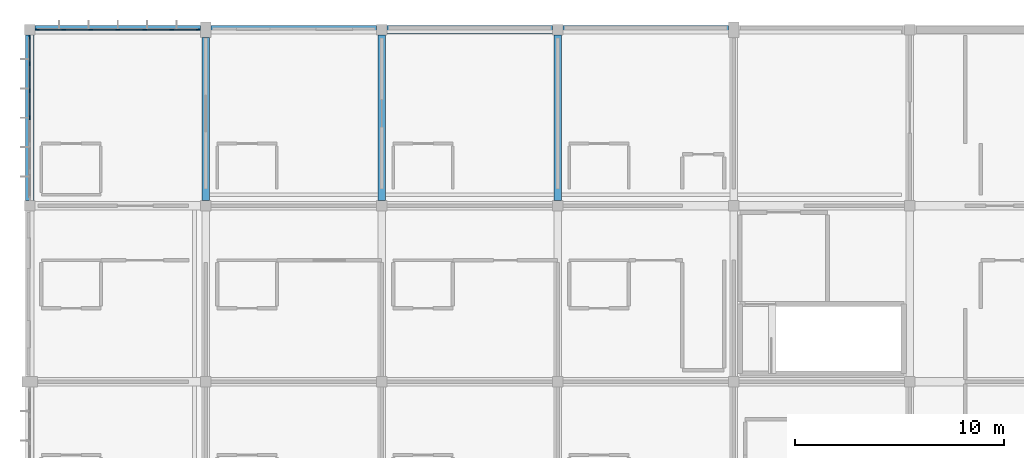
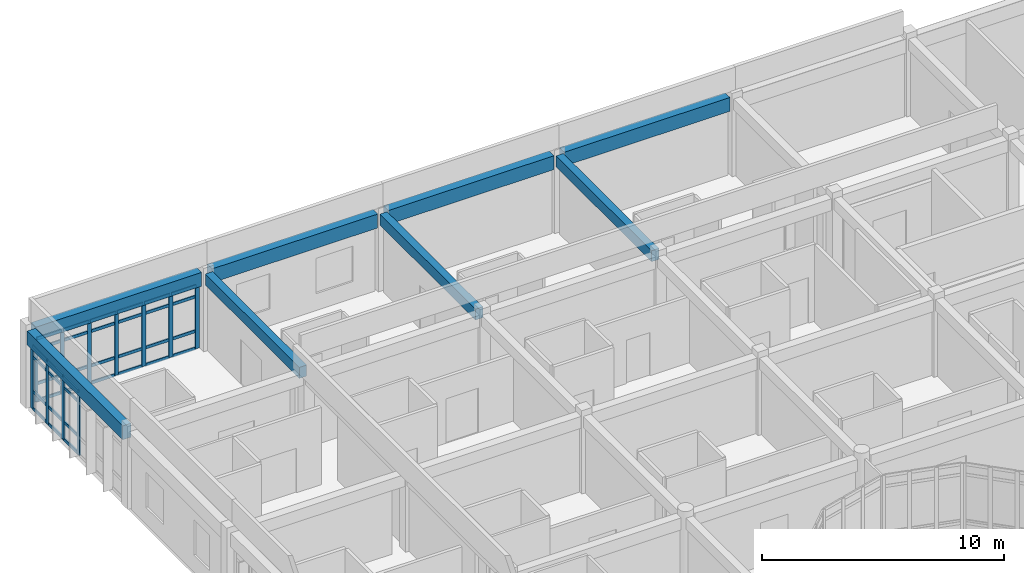
# One storey, part 28 of 119: 47 members, 8 beams, 2 elements without a shape of their own.
"""IFC4 building model written with IfcOpenShell, lengths in metres."""

import ifcopenshell
import ifcopenshell.guid

model = None  # the IFC model being written
_history = None  # IfcOwnerHistory: only IFC2X3 demands one
_inside = {}  # id of a spatial element -> (the spatial element, [elements in it])
_under = {}  # id of a project, library or spatial element -> (it, [spatial elements below it])
_declared = {}  # id of a project -> (the project, [libraries it declares])
_typed = {}  # id of a type object -> (the type object, [elements of that type])
_made_of = {}  # id of a material, layer set ... -> (it, [elements and type objects made of it])


def new_model(schema):
    """Start an empty IFC model of exactly this schema.

    Asked for "IFC4X3", IfcOpenShell would pick the latest addendum, in which some entities
    have other attributes; the version numbers below select the first issue.
    IFC2X3 requires an IfcOwnerHistory on every rooted entity: one is made here for all.
    """
    global model, _history
    if schema == "IFC4X3":
        model = ifcopenshell.file(schema_version=(4, 3, 0, 0))
    else:
        model = ifcopenshell.file(schema=schema)
    _inside.clear()
    _under.clear()
    _declared.clear()
    _typed.clear()
    _made_of.clear()
    _history = None
    if model.schema == "IFC2X3":
        org = make("IfcOrganization", Name="unknown")
        user = make(
            "IfcPersonAndOrganization",
            ThePerson=make("IfcPerson", FamilyName="unknown"),
            TheOrganization=org,
        )
        app = make(
            "IfcApplication",
            ApplicationDeveloper=org,
            Version="unknown",
            ApplicationFullName="unknown",
            ApplicationIdentifier="unknown",
        )
        _history = make(
            "IfcOwnerHistory",
            OwningUser=user,
            OwningApplication=app,
            ChangeAction="ADDED",
            CreationDate=0,
        )
    return model


def make(cls, **values):
    """One entity of the class cls with the attributes given. An attribute that is None is left unset."""
    return model.create_entity(
        cls, **{name: value for name, value in values.items() if value is not None}
    )


def rooted(cls, **values):
    """An entity with a GlobalId (a new one), such as an element, a storey or a relation."""
    return make(cls, GlobalId=ifcopenshell.guid.new(), OwnerHistory=_history, **values)


def si_unit(unit_type, name, prefix=None):
    """IfcSIUnit, for example si_unit("LENGTHUNIT", "METRE", prefix="MILLI")."""
    return make("IfcSIUnit", UnitType=unit_type, Prefix=prefix, Name=name)


def assignment(units):
    """IfcUnitAssignment: the units of a project."""
    return None if units is None else make("IfcUnitAssignment", Units=units)


def point(xyz):
    """IfcCartesianPoint."""
    return None if xyz is None else make("IfcCartesianPoint", Coordinates=xyz)


def direction(xyz):
    """IfcDirection."""
    return None if xyz is None else make("IfcDirection", DirectionRatios=xyz)


def frame(location, z_axis=None, x_axis=None):
    """IfcAxis2Placement3D, a coordinate frame: its origin and axes. An axis left out is left unset."""
    return make(
        "IfcAxis2Placement3D",
        Location=point(location),
        Axis=direction(z_axis),
        RefDirection=direction(x_axis),
    )


def frame_2d(location, x_axis=None):
    """IfcAxis2Placement2D, a coordinate frame in the plane: its origin and x axis."""
    return make(
        "IfcAxis2Placement2D", Location=point(location), RefDirection=direction(x_axis)
    )


def origin():
    """The frame at (0, 0, 0) with its axes left unset."""
    return frame((0.0, 0.0, 0.0))


def origin_2d():
    """The frame at (0, 0) in the plane with its x axis left unset."""
    return frame_2d((0.0, 0.0))


def place(relative_to, where):
    """IfcLocalPlacement: puts the frame where relative to a parent placement (None: the world)."""
    return make(
        "IfcLocalPlacement", PlacementRelTo=relative_to, RelativePlacement=where
    )


def context(
    kind, dimensions, precision=None, world=None, true_north=None, identifier=None
):
    """IfcGeometricRepresentationContext, for example the 3D "Model" context."""
    return make(
        "IfcGeometricRepresentationContext",
        ContextIdentifier=identifier,
        ContextType=kind,
        CoordinateSpaceDimension=dimensions,
        Precision=precision,
        WorldCoordinateSystem=world,
        TrueNorth=true_north,
    )


def subcontext(parent, identifier, kind, view, scale=None):
    """IfcGeometricRepresentationSubContext, for example "Body" below "Model"."""
    return make(
        "IfcGeometricRepresentationSubContext",
        ContextIdentifier=identifier,
        ContextType=kind,
        ParentContext=parent,
        TargetScale=scale,
        TargetView=view,
    )


def project(units=None, contexts=None):
    """IfcProject with its units and contexts."""
    return rooted(
        "IfcProject",
        Name="project",
        RepresentationContexts=contexts,
        UnitsInContext=assignment(units),
    )


def spatial(cls, under=None, at=None, **own):
    """A site, building, storey or space (cls), placed at a placement, below another one or the project."""
    s = rooted(cls, ObjectPlacement=at, **own)
    if under is not None:
        _under.setdefault(under.id(), (under, []))[1].append(s)
    return s


def profile(cls, at=None, kind="AREA", **sizes):
    """A parametric profile (cls). Its sizes go by their IFC names, for example OverallWidth=200.0."""
    return make(cls, ProfileType=kind, Position=at, **sizes)


def rectangle(**sizes):
    """IfcRectangleProfileDef."""
    return profile("IfcRectangleProfileDef", **sizes)


def extrude(swept, where, along, depth):
    """IfcExtrudedAreaSolid: the profile swept, set in the frame where, extruded along a direction by depth."""
    return make(
        "IfcExtrudedAreaSolid",
        SweptArea=swept,
        Position=where,
        ExtrudedDirection=direction(along),
        Depth=depth,
    )


def shape(context_of_items, identifier, shape_type, items):
    """IfcShapeRepresentation: the items that make up one representation, for example the "Body"."""
    return make(
        "IfcShapeRepresentation",
        ContextOfItems=context_of_items,
        RepresentationIdentifier=identifier,
        RepresentationType=shape_type,
        Items=items,
    )


def material(Name=None, Category=None):
    """IfcMaterial."""
    return make("IfcMaterial", Name=Name, Category=Category)


def layer(
    of_material, thickness, ventilated=None, Name=None, Category=None, Priority=None
):
    """IfcMaterialLayer: one layer of a wall or slab, of a material (None: an air gap)."""
    return make(
        "IfcMaterialLayer",
        Material=of_material,
        LayerThickness=thickness,
        IsVentilated=ventilated,
        Name=Name,
        Category=Category,
        Priority=Priority,
    )


def layer_set(layers, Name=None):
    """IfcMaterialLayerSet."""
    return make("IfcMaterialLayerSet", MaterialLayers=layers, LayerSetName=Name)


def material_profile(
    of_material, cross_section, Name=None, Category=None, Priority=None
):
    """IfcMaterialProfile: a cross section and its material."""
    return make(
        "IfcMaterialProfile",
        Name=Name,
        Material=of_material,
        Profile=cross_section,
        Priority=Priority,
        Category=Category,
    )


def profile_set(profiles, Name=None, composite=None):
    """IfcMaterialProfileSet."""
    return make(
        "IfcMaterialProfileSet",
        Name=Name,
        MaterialProfiles=profiles,
        CompositeProfile=composite,
    )


def made_of(thing, what):
    """Note that an element or type object is made of a material, layer set ...; save() writes the relation."""
    if what is not None:
        _made_of.setdefault(what.id(), (what, []))[1].append(thing)
    return thing


def type_object(cls, material=None, **own):
    """A type object (cls), such as IfcWallType, which elements share."""
    return made_of(rooted(cls, **own), material)


def element(
    cls,
    number,
    at=None,
    inside=None,
    cuts=None,
    type_object=None,
    material=None,
    context=None,
    identifier="Body",
    shape_type=None,
    held_by="IfcProductDefinitionShape",
    body=None,
    shapes=None,
    **own,
):
    """One element of the class cls, such as IfcWall. Its Tag is "e" and its number.

    at: its placement. inside: the storey or other place that contains it. cuts: it is an
    opening in that element (IfcRelVoidsElement). A single representation is given by context,
    identifier, shape_type and body (its items); several are given by shapes. held_by: the class
    of the entity that holds the representations. save() writes the other relations.
    """
    e = rooted(cls, Tag="e%d" % number, ObjectPlacement=at, **own)
    if body is not None:
        shapes = [shape(context, identifier, shape_type, body)]
    if shapes is not None:
        e.Representation = make(held_by, Representations=shapes)
    if inside is not None:
        _inside.setdefault(inside.id(), (inside, []))[1].append(e)
    if cuts is not None:
        rooted(
            "IfcRelVoidsElement", RelatingBuildingElement=cuts, RelatedOpeningElement=e
        )
    if type_object is not None:
        _typed.setdefault(type_object.id(), (type_object, []))[1].append(e)
    return made_of(e, material)


def aggregate(whole, parts):
    """IfcRelAggregates: a whole, such as a stair, and the parts it consists of."""
    return rooted("IfcRelAggregates", RelatingObject=whole, RelatedObjects=parts)


def save(model, path):
    """Write the relations noted so far, then the file.

    IfcRelAggregates (storeys below a building ...), IfcRelContainedInSpatialStructure (elements
    in a storey), IfcRelDefinesByType, IfcRelAssociatesMaterial and IfcRelDeclares: one each for
    every whole, place, type object, material and project.
    """
    for whole, parts in _under.values():
        aggregate(whole, parts)
    for where, things in _inside.values():
        rooted(
            "IfcRelContainedInSpatialStructure",
            RelatedElements=things,
            RelatingStructure=where,
        )
    for kind, things in _typed.values():
        rooted("IfcRelDefinesByType", RelatedObjects=things, RelatingType=kind)
    for what, things in _made_of.values():
        rooted("IfcRelAssociatesMaterial", RelatedObjects=things, RelatingMaterial=what)
    for by, libraries in _declared.values():
        rooted("IfcRelDeclares", RelatingContext=by, RelatedDefinitions=libraries)
    model.write(path)


model = new_model("IFC4")

# Units and contexts
model_context = context("Model", 3, precision=1e-05, world=origin(), true_north=direction((0.0, 1.0)))
body_context = subcontext(model_context, "Body", "Model", "MODEL_VIEW")
ifc_project = project(units=[si_unit("LENGTHUNIT", "METRE"), si_unit("AREAUNIT", "SQUARE_METRE"), si_unit("VOLUMEUNIT", "CUBIC_METRE"), si_unit("PLANEANGLEUNIT", "RADIAN"), si_unit("MASSUNIT", "GRAM", prefix="KILO")], contexts=[model_context])

# Site, building, storey
site_placement = place(None, origin())
site = spatial("IfcSite", under=ifc_project, at=site_placement, CompositionType="ELEMENT")
building_placement = place(site_placement, origin())
building = spatial("IfcBuilding", under=site, at=building_placement, Name="Bramfleet General Hospital", CompositionType="ELEMENT")
storey_placement = place(building_placement, frame((0.0, 0.0, 14.39990234375)))
storey = spatial("IfcBuildingStorey", under=building, at=storey_placement, Name="L03", CompositionType="ELEMENT", Elevation=14.39990234375)

# Beams
ifc_material_1 = material(Name="Concrete C35/45", Category="concrete")
ifc_material_profile_1 = material_profile(ifc_material_1, rectangle(XDim=0.35009765625, YDim=0.550048828125, at=origin_2d()), Name="RC BM 550x350")
ifc_profile_set_1 = profile_set([ifc_material_profile_1], Name="Concrete C35/45")
beam_type_1 = type_object("IfcBeamType", Name="BM-RC550", PredefinedType="BEAM", material=ifc_profile_set_1)
beam_1_placement = place(storey_placement, frame((8.39990234375, 109.449951171875, 3.625), z_axis=(0.0, 1.0, 0.0), x_axis=(-1.0, 0.0, 0.0)))
element("IfcBeam", 1, at=beam_1_placement, inside=storey, type_object=beam_type_1, Name="L03 Grid Beam Y 01-13", PredefinedType="BEAM", context=body_context, shape_type="SweptSolid", body=[
    extrude(rectangle(XDim=0.35009765625, YDim=0.550048828125, at=origin_2d()), origin(), (0.0, 0.0, 1.0), 7.775146484375),
])
for number, where, z_axis, x_axis, name in (
    (2, (16.800048828125, 109.449951171875, 3.625), (0.0, 1.0, 0.0), (-1.0, 0.0, 0.0), "L03 Grid Beam Y 02-13"),
    (3, (25.199951171875, 109.449951171875, 3.625), (0.0, 1.0, 0.0), (-1.0, 0.0, 0.0), "L03 Grid Beam Y 03-13"),
):
    element("IfcBeam", number, at=place(storey_placement, frame(where, z_axis=z_axis, x_axis=x_axis)), inside=storey, type_object=beam_type_1, Name=name, PredefinedType="BEAM", context=body_context, shape_type="SweptSolid", body=[
        extrude(rectangle(XDim=0.35009765625, YDim=0.550048828125, at=origin_2d()), origin(), (0.0, 0.0, 1.0), 7.900146484375),
    ])
ifc_material_profile_2 = material_profile(ifc_material_1, rectangle(XDim=0.39990234375, YDim=0.699951171875, at=origin_2d()), Name="RC SP 700x400")
ifc_profile_set_2 = profile_set([ifc_material_profile_2], Name="Concrete C35/45")
beam_type_2 = type_object("IfcBeamType", Name="BM-SP700", PredefinedType="SPANDREL", material=ifc_profile_set_2)
beam_2_placement = place(storey_placement, frame((0.25, 117.60009765625, 3.550048828125), z_axis=(1.0, 0.0, 0.0), x_axis=(0.0, 1.0, 0.0)))
element("IfcBeam", 4, at=beam_2_placement, inside=storey, type_object=beam_type_2, Name="L03 Grid Beam X 00-14", PredefinedType="SPANDREL", context=body_context, shape_type="SweptSolid", body=[
    extrude(rectangle(XDim=0.39990234375, YDim=0.699951171875, at=origin_2d()), origin(), (0.0, 0.0, 1.0), 7.89990234375),
])
beam_3_placement = place(storey_placement, frame((8.64990234375, 117.60009765625, 3.550048828125), z_axis=(1.0, 0.0, 0.0), x_axis=(0.0, 1.0, 0.0)))
element("IfcBeam", 5, at=beam_3_placement, inside=storey, type_object=beam_type_2, Name="L03 Grid Beam X 01-14", PredefinedType="SPANDREL", context=body_context, shape_type="SweptSolid", body=[
    extrude(rectangle(XDim=0.39990234375, YDim=0.699951171875, at=origin_2d()), origin(), (0.0, 0.0, 1.0), 7.900146484375),
])
beam_4_placement = place(storey_placement, frame((17.050048828125, 117.60009765625, 3.550048828125), z_axis=(1.0, 0.0, 0.0), x_axis=(0.0, 1.0, 0.0)))
element("IfcBeam", 6, at=beam_4_placement, inside=storey, type_object=beam_type_2, Name="L03 Grid Beam X 02-14", PredefinedType="SPANDREL", context=body_context, shape_type="SweptSolid", body=[
    extrude(rectangle(XDim=0.39990234375, YDim=0.699951171875, at=origin_2d()), origin(), (0.0, 0.0, 1.0), 7.89990234375),
])
for number, where, z_axis, x_axis, name in (
    (7, (25.449951171875, 117.60009765625, 3.550048828125), (1.0, 0.0, 0.0), (0.0, 1.0, 0.0), "L03 Grid Beam X 03-14"),
    (8, (0.0, 109.449951171875, 3.550048828125), (0.0, 1.0, 0.0), (-1.0, 0.0, 0.0), "L03 Grid Beam Y 00-13"),
):
    element("IfcBeam", number, at=place(storey_placement, frame(where, z_axis=z_axis, x_axis=x_axis)), inside=storey, type_object=beam_type_2, Name=name, PredefinedType="SPANDREL", context=body_context, shape_type="SweptSolid", body=[
        extrude(rectangle(XDim=0.39990234375, YDim=0.699951171875, at=origin_2d()), origin(), (0.0, 0.0, 1.0), 7.900146484375),
    ])

# Curtain wall, members
ifc_material_2 = material(Name="Anodised aluminium and low-E triple glazing", Category="aluminium")
ifc_layer_1 = layer(ifc_material_2, 0.179931640625, Name="CWT-CW-01")
ifc_layer_set_1 = layer_set([ifc_layer_1], Name="Anodised aluminium and low-E triple glazing")
curtain_wall_type_1 = type_object("IfcCurtainWallType", Name="CWT-CW-01", PredefinedType="USERDEFINED", material=ifc_layer_set_1)
curtain_wall_1_placement = place(storey_placement, origin())
curtain_wall_1 = element("IfcCurtainWall", 9, at=curtain_wall_1_placement, inside=storey, type_object=curtain_wall_type_1, Name="L03 Curtain Wall 145", ObjectType="Unitised curtain wall", PredefinedType="USERDEFINED")
ifc_material_3 = material(Name="Structural timber GL28h", Category="wood")
ifc_material_profile_3 = material_profile(ifc_material_3, rectangle(XDim=0.070068359375, YDim=0.18994140625, at=origin_2d()), Name="LARCH 190x70")
ifc_profile_set_3 = profile_set([ifc_material_profile_3], Name="Structural timber GL28h")
member_type_1 = type_object("IfcMemberType", Name="CWM-LARCH450", PredefinedType="MULLION", material=ifc_profile_set_3)
member_1_placement = place(storey_placement, frame((0.0, 113.39990234375, 0.0), z_axis=(0.0, 0.0, 1.0), x_axis=(-1.0, 0.0, 0.0)))
member_1 = element("IfcMember", 10, at=member_1_placement, type_object=member_type_1, Name="CW-01 mullion 4", PredefinedType="MULLION", context=body_context, shape_type="SweptSolid", body=[
    extrude(rectangle(XDim=0.070068359375, YDim=0.18994140625, at=origin_2d()), origin(), (0.0, 0.0, 1.0), 3.190185546875),
])
member_2_placement = place(storey_placement, frame((0.0, 114.691650390625, 0.0), z_axis=(0.0, 0.0, 1.0), x_axis=(-1.0, 0.0, 0.0)))
member_2 = element("IfcMember", 11, at=member_2_placement, type_object=member_type_1, Name="CW-01 mullion 5", PredefinedType="MULLION", context=body_context, shape_type="SweptSolid", body=[
    extrude(rectangle(XDim=0.070068359375, YDim=0.18994140625, at=origin_2d()), origin(), (0.0, 0.0, 1.0), 3.190185546875),
])
member_3_placement = place(storey_placement, frame((0.0, 115.9833984375, 0.0), z_axis=(0.0, 0.0, 1.0), x_axis=(-1.0, 0.0, 0.0)))
member_3 = element("IfcMember", 12, at=member_3_placement, type_object=member_type_1, Name="CW-01 mullion 6", PredefinedType="MULLION", context=body_context, shape_type="SweptSolid", body=[
    extrude(rectangle(XDim=0.070068359375, YDim=0.18994140625, at=origin_2d()), origin(), (0.0, 0.0, 1.0), 3.190185546875),
])
member_4_placement = place(storey_placement, frame((0.0, 117.239990234375, 0.0), z_axis=(0.0, 0.0, 1.0), x_axis=(-1.0, 0.0, 0.0)))
member_4 = element("IfcMember", 13, at=member_4_placement, type_object=member_type_1, Name="CW-01 mullion 7", PredefinedType="MULLION", context=body_context, shape_type="SweptSolid", body=[
    extrude(rectangle(XDim=0.070068359375, YDim=0.18994140625, at=origin_2d()), origin(), (0.0, 0.0, 1.0), 3.190185546875),
])

ifc_layer_2 = layer(ifc_material_2, 0.179931640625, Name="CWT-CW-02")
ifc_layer_set_2 = layer_set([ifc_layer_2], Name="Anodised aluminium and low-E triple glazing")
curtain_wall_type_2 = type_object("IfcCurtainWallType", Name="CWT-CW-02", PredefinedType="USERDEFINED", material=ifc_layer_set_2)
curtain_wall_2_placement = place(storey_placement, origin())
curtain_wall_2 = element("IfcCurtainWall", 14, at=curtain_wall_2_placement, inside=storey, type_object=curtain_wall_type_2, Name="L03 Curtain Wall 146", ObjectType="Unitised curtain wall", PredefinedType="USERDEFINED")
member_5_placement = place(storey_placement, frame((0.360107421875, 117.60009765625, 0.0), z_axis=(0.0, 0.0, 1.0), x_axis=(0.0, 1.0, 0.0)))
member_5 = element("IfcMember", 15, at=member_5_placement, type_object=member_type_1, Name="CW-02 mullion 1", PredefinedType="MULLION", context=body_context, shape_type="SweptSolid", body=[
    extrude(rectangle(XDim=0.070068359375, YDim=0.18994140625, at=origin_2d()), origin(), (0.0, 0.0, 1.0), 3.190185546875),
])
member_6_placement = place(storey_placement, frame((1.61669921875, 117.60009765625, 0.0), z_axis=(0.0, 0.0, 1.0), x_axis=(0.0, 1.0, 0.0)))
member_6 = element("IfcMember", 16, at=member_6_placement, type_object=member_type_1, Name="CW-02 mullion 2", PredefinedType="MULLION", context=body_context, shape_type="SweptSolid", body=[
    extrude(rectangle(XDim=0.070068359375, YDim=0.18994140625, at=origin_2d()), origin(), (0.0, 0.0, 1.0), 3.190185546875),
])
member_7_placement = place(storey_placement, frame((2.908447265625, 117.60009765625, 0.0), z_axis=(0.0, 0.0, 1.0), x_axis=(0.0, 1.0, 0.0)))
member_7 = element("IfcMember", 17, at=member_7_placement, type_object=member_type_1, Name="CW-02 mullion 3", PredefinedType="MULLION", context=body_context, shape_type="SweptSolid", body=[
    extrude(rectangle(XDim=0.070068359375, YDim=0.18994140625, at=origin_2d()), origin(), (0.0, 0.0, 1.0), 3.190185546875),
])
member_8_placement = place(storey_placement, frame((4.199951171875, 117.60009765625, 0.0), z_axis=(0.0, 0.0, 1.0), x_axis=(0.0, 1.0, 0.0)))
member_8 = element("IfcMember", 18, at=member_8_placement, type_object=member_type_1, Name="CW-02 mullion 4", PredefinedType="MULLION", context=body_context, shape_type="SweptSolid", body=[
    extrude(rectangle(XDim=0.070068359375, YDim=0.18994140625, at=origin_2d()), origin(), (0.0, 0.0, 1.0), 3.190185546875),
])
member_9_placement = place(storey_placement, frame((5.49169921875, 117.60009765625, 0.0), z_axis=(0.0, 0.0, 1.0), x_axis=(0.0, 1.0, 0.0)))
member_9 = element("IfcMember", 19, at=member_9_placement, type_object=member_type_1, Name="CW-02 mullion 5", PredefinedType="MULLION", context=body_context, shape_type="SweptSolid", body=[
    extrude(rectangle(XDim=0.070068359375, YDim=0.18994140625, at=origin_2d()), origin(), (0.0, 0.0, 1.0), 3.190185546875),
])
member_10_placement = place(storey_placement, frame((6.783447265625, 117.60009765625, 0.0), z_axis=(0.0, 0.0, 1.0), x_axis=(0.0, 1.0, 0.0)))
member_10 = element("IfcMember", 20, at=member_10_placement, type_object=member_type_1, Name="CW-02 mullion 6", PredefinedType="MULLION", context=body_context, shape_type="SweptSolid", body=[
    extrude(rectangle(XDim=0.070068359375, YDim=0.18994140625, at=origin_2d()), origin(), (0.0, 0.0, 1.0), 3.190185546875),
])
member_11_placement = place(storey_placement, frame((8.0400390625, 117.60009765625, 0.0), z_axis=(0.0, 0.0, 1.0), x_axis=(0.0, 1.0, 0.0)))
member_11 = element("IfcMember", 21, at=member_11_placement, type_object=member_type_1, Name="CW-02 mullion 7", PredefinedType="MULLION", context=body_context, shape_type="SweptSolid", body=[
    extrude(rectangle(XDim=0.070068359375, YDim=0.18994140625, at=origin_2d()), origin(), (0.0, 0.0, 1.0), 3.190185546875),
])

# Member
ifc_material_profile_4 = material_profile(ifc_material_3, rectangle(XDim=0.06494140625, YDim=0.14990234375, at=origin_2d()), Name="LARCH 150x65")
ifc_profile_set_4 = profile_set([ifc_material_profile_4], Name="Structural timber GL28h")
member_type_2 = type_object("IfcMemberType", Name="CWT-LARCH220", PredefinedType="USERDEFINED", material=ifc_profile_set_4)
member_12_placement = place(storey_placement, frame((0.0, 113.43505859375, 0.03271484375), z_axis=(0.0, 1.0, 0.0), x_axis=(-1.0, 0.0, 0.0)))
member_12 = element("IfcMember", 22, at=member_12_placement, type_object=member_type_2, Name="CW-01 transom 4.1", ObjectType="TRANSOM", PredefinedType="USERDEFINED", context=body_context, shape_type="SweptSolid", body=[
    extrude(rectangle(XDim=0.06494140625, YDim=0.14990234375, at=origin_2d()), origin(), (0.0, 0.0, 1.0), 1.2216796875),
])

member_13_placement = place(storey_placement, frame((0.0, 113.43505859375, 0.900146484375), z_axis=(0.0, 1.0, 0.0), x_axis=(-1.0, 0.0, 0.0)))
member_13 = element("IfcMember", 23, at=member_13_placement, type_object=member_type_2, Name="CW-01 transom 4.2", ObjectType="TRANSOM", PredefinedType="USERDEFINED", context=body_context, shape_type="SweptSolid", body=[
    extrude(rectangle(XDim=0.06494140625, YDim=0.14990234375, at=origin_2d()), origin(), (0.0, 0.0, 1.0), 1.2216796875),
])

member_14_placement = place(storey_placement, frame((0.0, 113.43505859375, 2.64013671875), z_axis=(0.0, 1.0, 0.0), x_axis=(-1.0, 0.0, 0.0)))
member_14 = element("IfcMember", 24, at=member_14_placement, type_object=member_type_2, Name="CW-01 transom 4.3", ObjectType="TRANSOM", PredefinedType="USERDEFINED", context=body_context, shape_type="SweptSolid", body=[
    extrude(rectangle(XDim=0.06494140625, YDim=0.14990234375, at=origin_2d()), origin(), (0.0, 0.0, 1.0), 1.2216796875),
])

member_15_placement = place(storey_placement, frame((0.0, 113.43505859375, 3.15771484375), z_axis=(0.0, 1.0, 0.0), x_axis=(-1.0, 0.0, 0.0)))
member_15 = element("IfcMember", 25, at=member_15_placement, type_object=member_type_2, Name="CW-01 transom 4.4", ObjectType="TRANSOM", PredefinedType="USERDEFINED", context=body_context, shape_type="SweptSolid", body=[
    extrude(rectangle(XDim=0.06494140625, YDim=0.14990234375, at=origin_2d()), origin(), (0.0, 0.0, 1.0), 1.2216796875),
])

member_16_placement = place(storey_placement, frame((0.0, 114.7265625, 0.03271484375), z_axis=(0.0, 1.0, 0.0), x_axis=(-1.0, 0.0, 0.0)))
member_16 = element("IfcMember", 26, at=member_16_placement, type_object=member_type_2, Name="CW-01 transom 5.1", ObjectType="TRANSOM", PredefinedType="USERDEFINED", context=body_context, shape_type="SweptSolid", body=[
    extrude(rectangle(XDim=0.06494140625, YDim=0.14990234375, at=origin_2d()), origin(), (0.0, 0.0, 1.0), 1.2216796875),
])

member_17_placement = place(storey_placement, frame((0.0, 114.7265625, 0.900146484375), z_axis=(0.0, 1.0, 0.0), x_axis=(-1.0, 0.0, 0.0)))
member_17 = element("IfcMember", 27, at=member_17_placement, type_object=member_type_2, Name="CW-01 transom 5.2", ObjectType="TRANSOM", PredefinedType="USERDEFINED", context=body_context, shape_type="SweptSolid", body=[
    extrude(rectangle(XDim=0.06494140625, YDim=0.14990234375, at=origin_2d()), origin(), (0.0, 0.0, 1.0), 1.2216796875),
])

member_18_placement = place(storey_placement, frame((0.0, 114.7265625, 2.64013671875), z_axis=(0.0, 1.0, 0.0), x_axis=(-1.0, 0.0, 0.0)))
member_18 = element("IfcMember", 28, at=member_18_placement, type_object=member_type_2, Name="CW-01 transom 5.3", ObjectType="TRANSOM", PredefinedType="USERDEFINED", context=body_context, shape_type="SweptSolid", body=[
    extrude(rectangle(XDim=0.06494140625, YDim=0.14990234375, at=origin_2d()), origin(), (0.0, 0.0, 1.0), 1.2216796875),
])

member_19_placement = place(storey_placement, frame((0.0, 114.7265625, 3.15771484375), z_axis=(0.0, 1.0, 0.0), x_axis=(-1.0, 0.0, 0.0)))
member_19 = element("IfcMember", 29, at=member_19_placement, type_object=member_type_2, Name="CW-01 transom 5.4", ObjectType="TRANSOM", PredefinedType="USERDEFINED", context=body_context, shape_type="SweptSolid", body=[
    extrude(rectangle(XDim=0.06494140625, YDim=0.14990234375, at=origin_2d()), origin(), (0.0, 0.0, 1.0), 1.2216796875),
])

member_20_placement = place(storey_placement, frame((0.0, 116.018310546875, 0.03271484375), z_axis=(0.0, 1.0, 0.0), x_axis=(-1.0, 0.0, 0.0)))
member_20 = element("IfcMember", 30, at=member_20_placement, type_object=member_type_2, Name="CW-01 transom 6.1", ObjectType="TRANSOM", PredefinedType="USERDEFINED", context=body_context, shape_type="SweptSolid", body=[
    extrude(rectangle(XDim=0.06494140625, YDim=0.14990234375, at=origin_2d()), origin(), (0.0, 0.0, 1.0), 1.186767578125),
])

member_21_placement = place(storey_placement, frame((0.0, 116.018310546875, 0.900146484375), z_axis=(0.0, 1.0, 0.0), x_axis=(-1.0, 0.0, 0.0)))
member_21 = element("IfcMember", 31, at=member_21_placement, type_object=member_type_2, Name="CW-01 transom 6.2", ObjectType="TRANSOM", PredefinedType="USERDEFINED", context=body_context, shape_type="SweptSolid", body=[
    extrude(rectangle(XDim=0.06494140625, YDim=0.14990234375, at=origin_2d()), origin(), (0.0, 0.0, 1.0), 1.186767578125),
])

member_22_placement = place(storey_placement, frame((0.0, 116.018310546875, 2.64013671875), z_axis=(0.0, 1.0, 0.0), x_axis=(-1.0, 0.0, 0.0)))
member_22 = element("IfcMember", 32, at=member_22_placement, type_object=member_type_2, Name="CW-01 transom 6.3", ObjectType="TRANSOM", PredefinedType="USERDEFINED", context=body_context, shape_type="SweptSolid", body=[
    extrude(rectangle(XDim=0.06494140625, YDim=0.14990234375, at=origin_2d()), origin(), (0.0, 0.0, 1.0), 1.186767578125),
])

member_23_placement = place(storey_placement, frame((0.0, 116.018310546875, 3.15771484375), z_axis=(0.0, 1.0, 0.0), x_axis=(-1.0, 0.0, 0.0)))
member_23 = element("IfcMember", 33, at=member_23_placement, type_object=member_type_2, Name="CW-01 transom 6.4", ObjectType="TRANSOM", PredefinedType="USERDEFINED", context=body_context, shape_type="SweptSolid", body=[
    extrude(rectangle(XDim=0.06494140625, YDim=0.14990234375, at=origin_2d()), origin(), (0.0, 0.0, 1.0), 1.186767578125),
])

aggregate(curtain_wall_1, [member_1, member_2, member_3, member_4, member_12, member_13, member_14, member_15, member_16, member_17, member_18, member_19, member_20, member_21, member_22, member_23])

member_24_placement = place(storey_placement, frame((0.39501953125, 117.60009765625, 0.03271484375), z_axis=(1.0, 0.0, 0.0), x_axis=(0.0, 1.0, 0.0)))
member_24 = element("IfcMember", 34, at=member_24_placement, type_object=member_type_2, Name="CW-02 transom 1.1", ObjectType="TRANSOM", PredefinedType="USERDEFINED", context=body_context, shape_type="SweptSolid", body=[
    extrude(rectangle(XDim=0.06494140625, YDim=0.14990234375, at=origin_2d()), origin(), (0.0, 0.0, 1.0), 1.186767578125),
])

member_25_placement = place(storey_placement, frame((0.39501953125, 117.60009765625, 0.900146484375), z_axis=(1.0, 0.0, 0.0), x_axis=(0.0, 1.0, 0.0)))
member_25 = element("IfcMember", 35, at=member_25_placement, type_object=member_type_2, Name="CW-02 transom 1.2", ObjectType="TRANSOM", PredefinedType="USERDEFINED", context=body_context, shape_type="SweptSolid", body=[
    extrude(rectangle(XDim=0.06494140625, YDim=0.14990234375, at=origin_2d()), origin(), (0.0, 0.0, 1.0), 1.186767578125),
])

member_26_placement = place(storey_placement, frame((0.39501953125, 117.60009765625, 2.64013671875), z_axis=(1.0, 0.0, 0.0), x_axis=(0.0, 1.0, 0.0)))
member_26 = element("IfcMember", 36, at=member_26_placement, type_object=member_type_2, Name="CW-02 transom 1.3", ObjectType="TRANSOM", PredefinedType="USERDEFINED", context=body_context, shape_type="SweptSolid", body=[
    extrude(rectangle(XDim=0.06494140625, YDim=0.14990234375, at=origin_2d()), origin(), (0.0, 0.0, 1.0), 1.186767578125),
])

member_27_placement = place(storey_placement, frame((0.39501953125, 117.60009765625, 3.15771484375), z_axis=(1.0, 0.0, 0.0), x_axis=(0.0, 1.0, 0.0)))
member_27 = element("IfcMember", 37, at=member_27_placement, type_object=member_type_2, Name="CW-02 transom 1.4", ObjectType="TRANSOM", PredefinedType="USERDEFINED", context=body_context, shape_type="SweptSolid", body=[
    extrude(rectangle(XDim=0.06494140625, YDim=0.14990234375, at=origin_2d()), origin(), (0.0, 0.0, 1.0), 1.186767578125),
])

member_28_placement = place(storey_placement, frame((1.651611328125, 117.60009765625, 0.03271484375), z_axis=(1.0, 0.0, 0.0), x_axis=(0.0, 1.0, 0.0)))
member_28 = element("IfcMember", 38, at=member_28_placement, type_object=member_type_2, Name="CW-02 transom 2.1", ObjectType="TRANSOM", PredefinedType="USERDEFINED", context=body_context, shape_type="SweptSolid", body=[
    extrude(rectangle(XDim=0.06494140625, YDim=0.14990234375, at=origin_2d()), origin(), (0.0, 0.0, 1.0), 1.2216796875),
])

member_29_placement = place(storey_placement, frame((1.651611328125, 117.60009765625, 0.900146484375), z_axis=(1.0, 0.0, 0.0), x_axis=(0.0, 1.0, 0.0)))
member_29 = element("IfcMember", 39, at=member_29_placement, type_object=member_type_2, Name="CW-02 transom 2.2", ObjectType="TRANSOM", PredefinedType="USERDEFINED", context=body_context, shape_type="SweptSolid", body=[
    extrude(rectangle(XDim=0.06494140625, YDim=0.14990234375, at=origin_2d()), origin(), (0.0, 0.0, 1.0), 1.2216796875),
])

member_30_placement = place(storey_placement, frame((1.651611328125, 117.60009765625, 2.64013671875), z_axis=(1.0, 0.0, 0.0), x_axis=(0.0, 1.0, 0.0)))
member_30 = element("IfcMember", 40, at=member_30_placement, type_object=member_type_2, Name="CW-02 transom 2.3", ObjectType="TRANSOM", PredefinedType="USERDEFINED", context=body_context, shape_type="SweptSolid", body=[
    extrude(rectangle(XDim=0.06494140625, YDim=0.14990234375, at=origin_2d()), origin(), (0.0, 0.0, 1.0), 1.2216796875),
])

member_31_placement = place(storey_placement, frame((1.651611328125, 117.60009765625, 3.15771484375), z_axis=(1.0, 0.0, 0.0), x_axis=(0.0, 1.0, 0.0)))
member_31 = element("IfcMember", 41, at=member_31_placement, type_object=member_type_2, Name="CW-02 transom 2.4", ObjectType="TRANSOM", PredefinedType="USERDEFINED", context=body_context, shape_type="SweptSolid", body=[
    extrude(rectangle(XDim=0.06494140625, YDim=0.14990234375, at=origin_2d()), origin(), (0.0, 0.0, 1.0), 1.2216796875),
])

member_32_placement = place(storey_placement, frame((2.943359375, 117.60009765625, 0.03271484375), z_axis=(1.0, 0.0, 0.0), x_axis=(0.0, 1.0, 0.0)))
member_32 = element("IfcMember", 42, at=member_32_placement, type_object=member_type_2, Name="CW-02 transom 3.1", ObjectType="TRANSOM", PredefinedType="USERDEFINED", context=body_context, shape_type="SweptSolid", body=[
    extrude(rectangle(XDim=0.06494140625, YDim=0.14990234375, at=origin_2d()), origin(), (0.0, 0.0, 1.0), 1.2216796875),
])

member_33_placement = place(storey_placement, frame((2.943359375, 117.60009765625, 0.900146484375), z_axis=(1.0, 0.0, 0.0), x_axis=(0.0, 1.0, 0.0)))
member_33 = element("IfcMember", 43, at=member_33_placement, type_object=member_type_2, Name="CW-02 transom 3.2", ObjectType="TRANSOM", PredefinedType="USERDEFINED", context=body_context, shape_type="SweptSolid", body=[
    extrude(rectangle(XDim=0.06494140625, YDim=0.14990234375, at=origin_2d()), origin(), (0.0, 0.0, 1.0), 1.2216796875),
])

member_34_placement = place(storey_placement, frame((2.943359375, 117.60009765625, 2.64013671875), z_axis=(1.0, 0.0, 0.0), x_axis=(0.0, 1.0, 0.0)))
member_34 = element("IfcMember", 44, at=member_34_placement, type_object=member_type_2, Name="CW-02 transom 3.3", ObjectType="TRANSOM", PredefinedType="USERDEFINED", context=body_context, shape_type="SweptSolid", body=[
    extrude(rectangle(XDim=0.06494140625, YDim=0.14990234375, at=origin_2d()), origin(), (0.0, 0.0, 1.0), 1.2216796875),
])

member_35_placement = place(storey_placement, frame((2.943359375, 117.60009765625, 3.15771484375), z_axis=(1.0, 0.0, 0.0), x_axis=(0.0, 1.0, 0.0)))
member_35 = element("IfcMember", 45, at=member_35_placement, type_object=member_type_2, Name="CW-02 transom 3.4", ObjectType="TRANSOM", PredefinedType="USERDEFINED", context=body_context, shape_type="SweptSolid", body=[
    extrude(rectangle(XDim=0.06494140625, YDim=0.14990234375, at=origin_2d()), origin(), (0.0, 0.0, 1.0), 1.2216796875),
])

member_36_placement = place(storey_placement, frame((4.235107421875, 117.60009765625, 0.03271484375), z_axis=(1.0, 0.0, 0.0), x_axis=(0.0, 1.0, 0.0)))
member_36 = element("IfcMember", 46, at=member_36_placement, type_object=member_type_2, Name="CW-02 transom 4.1", ObjectType="TRANSOM", PredefinedType="USERDEFINED", context=body_context, shape_type="SweptSolid", body=[
    extrude(rectangle(XDim=0.06494140625, YDim=0.14990234375, at=origin_2d()), origin(), (0.0, 0.0, 1.0), 1.2216796875),
])

member_37_placement = place(storey_placement, frame((4.235107421875, 117.60009765625, 0.900146484375), z_axis=(1.0, 0.0, 0.0), x_axis=(0.0, 1.0, 0.0)))
member_37 = element("IfcMember", 47, at=member_37_placement, type_object=member_type_2, Name="CW-02 transom 4.2", ObjectType="TRANSOM", PredefinedType="USERDEFINED", context=body_context, shape_type="SweptSolid", body=[
    extrude(rectangle(XDim=0.06494140625, YDim=0.14990234375, at=origin_2d()), origin(), (0.0, 0.0, 1.0), 1.2216796875),
])

member_38_placement = place(storey_placement, frame((4.235107421875, 117.60009765625, 2.64013671875), z_axis=(1.0, 0.0, 0.0), x_axis=(0.0, 1.0, 0.0)))
member_38 = element("IfcMember", 48, at=member_38_placement, type_object=member_type_2, Name="CW-02 transom 4.3", ObjectType="TRANSOM", PredefinedType="USERDEFINED", context=body_context, shape_type="SweptSolid", body=[
    extrude(rectangle(XDim=0.06494140625, YDim=0.14990234375, at=origin_2d()), origin(), (0.0, 0.0, 1.0), 1.2216796875),
])

member_39_placement = place(storey_placement, frame((4.235107421875, 117.60009765625, 3.15771484375), z_axis=(1.0, 0.0, 0.0), x_axis=(0.0, 1.0, 0.0)))
member_39 = element("IfcMember", 49, at=member_39_placement, type_object=member_type_2, Name="CW-02 transom 4.4", ObjectType="TRANSOM", PredefinedType="USERDEFINED", context=body_context, shape_type="SweptSolid", body=[
    extrude(rectangle(XDim=0.06494140625, YDim=0.14990234375, at=origin_2d()), origin(), (0.0, 0.0, 1.0), 1.2216796875),
])

member_40_placement = place(storey_placement, frame((5.526611328125, 117.60009765625, 0.03271484375), z_axis=(1.0, 0.0, 0.0), x_axis=(0.0, 1.0, 0.0)))
member_40 = element("IfcMember", 50, at=member_40_placement, type_object=member_type_2, Name="CW-02 transom 5.1", ObjectType="TRANSOM", PredefinedType="USERDEFINED", context=body_context, shape_type="SweptSolid", body=[
    extrude(rectangle(XDim=0.06494140625, YDim=0.14990234375, at=origin_2d()), origin(), (0.0, 0.0, 1.0), 1.2216796875),
])

member_41_placement = place(storey_placement, frame((5.526611328125, 117.60009765625, 0.900146484375), z_axis=(1.0, 0.0, 0.0), x_axis=(0.0, 1.0, 0.0)))
member_41 = element("IfcMember", 51, at=member_41_placement, type_object=member_type_2, Name="CW-02 transom 5.2", ObjectType="TRANSOM", PredefinedType="USERDEFINED", context=body_context, shape_type="SweptSolid", body=[
    extrude(rectangle(XDim=0.06494140625, YDim=0.14990234375, at=origin_2d()), origin(), (0.0, 0.0, 1.0), 1.2216796875),
])

member_42_placement = place(storey_placement, frame((5.526611328125, 117.60009765625, 2.64013671875), z_axis=(1.0, 0.0, 0.0), x_axis=(0.0, 1.0, 0.0)))
member_42 = element("IfcMember", 52, at=member_42_placement, type_object=member_type_2, Name="CW-02 transom 5.3", ObjectType="TRANSOM", PredefinedType="USERDEFINED", context=body_context, shape_type="SweptSolid", body=[
    extrude(rectangle(XDim=0.06494140625, YDim=0.14990234375, at=origin_2d()), origin(), (0.0, 0.0, 1.0), 1.2216796875),
])

member_43_placement = place(storey_placement, frame((5.526611328125, 117.60009765625, 3.15771484375), z_axis=(1.0, 0.0, 0.0), x_axis=(0.0, 1.0, 0.0)))
member_43 = element("IfcMember", 53, at=member_43_placement, type_object=member_type_2, Name="CW-02 transom 5.4", ObjectType="TRANSOM", PredefinedType="USERDEFINED", context=body_context, shape_type="SweptSolid", body=[
    extrude(rectangle(XDim=0.06494140625, YDim=0.14990234375, at=origin_2d()), origin(), (0.0, 0.0, 1.0), 1.2216796875),
])

member_44_placement = place(storey_placement, frame((6.818359375, 117.60009765625, 0.03271484375), z_axis=(1.0, 0.0, 0.0), x_axis=(0.0, 1.0, 0.0)))
member_44 = element("IfcMember", 54, at=member_44_placement, type_object=member_type_2, Name="CW-02 transom 6.1", ObjectType="TRANSOM", PredefinedType="USERDEFINED", context=body_context, shape_type="SweptSolid", body=[
    extrude(rectangle(XDim=0.06494140625, YDim=0.14990234375, at=origin_2d()), origin(), (0.0, 0.0, 1.0), 1.1865234375),
])

member_45_placement = place(storey_placement, frame((6.818359375, 117.60009765625, 0.900146484375), z_axis=(1.0, 0.0, 0.0), x_axis=(0.0, 1.0, 0.0)))
member_45 = element("IfcMember", 55, at=member_45_placement, type_object=member_type_2, Name="CW-02 transom 6.2", ObjectType="TRANSOM", PredefinedType="USERDEFINED", context=body_context, shape_type="SweptSolid", body=[
    extrude(rectangle(XDim=0.06494140625, YDim=0.14990234375, at=origin_2d()), origin(), (0.0, 0.0, 1.0), 1.1865234375),
])

member_46_placement = place(storey_placement, frame((6.818359375, 117.60009765625, 2.64013671875), z_axis=(1.0, 0.0, 0.0), x_axis=(0.0, 1.0, 0.0)))
member_46 = element("IfcMember", 56, at=member_46_placement, type_object=member_type_2, Name="CW-02 transom 6.3", ObjectType="TRANSOM", PredefinedType="USERDEFINED", context=body_context, shape_type="SweptSolid", body=[
    extrude(rectangle(XDim=0.06494140625, YDim=0.14990234375, at=origin_2d()), origin(), (0.0, 0.0, 1.0), 1.1865234375),
])

member_47_placement = place(storey_placement, frame((6.818359375, 117.60009765625, 3.15771484375), z_axis=(1.0, 0.0, 0.0), x_axis=(0.0, 1.0, 0.0)))
member_47 = element("IfcMember", 57, at=member_47_placement, type_object=member_type_2, Name="CW-02 transom 6.4", ObjectType="TRANSOM", PredefinedType="USERDEFINED", context=body_context, shape_type="SweptSolid", body=[
    extrude(rectangle(XDim=0.06494140625, YDim=0.14990234375, at=origin_2d()), origin(), (0.0, 0.0, 1.0), 1.1865234375),
])

aggregate(curtain_wall_2, [member_5, member_6, member_7, member_8, member_9, member_10, member_11, member_24, member_25, member_26, member_27, member_28, member_29, member_30, member_31, member_32, member_33, member_34, member_35, member_36, member_37, member_38, member_39, member_40, member_41, member_42, member_43, member_44, member_45, member_46, member_47])

save(model, "model.ifc")
